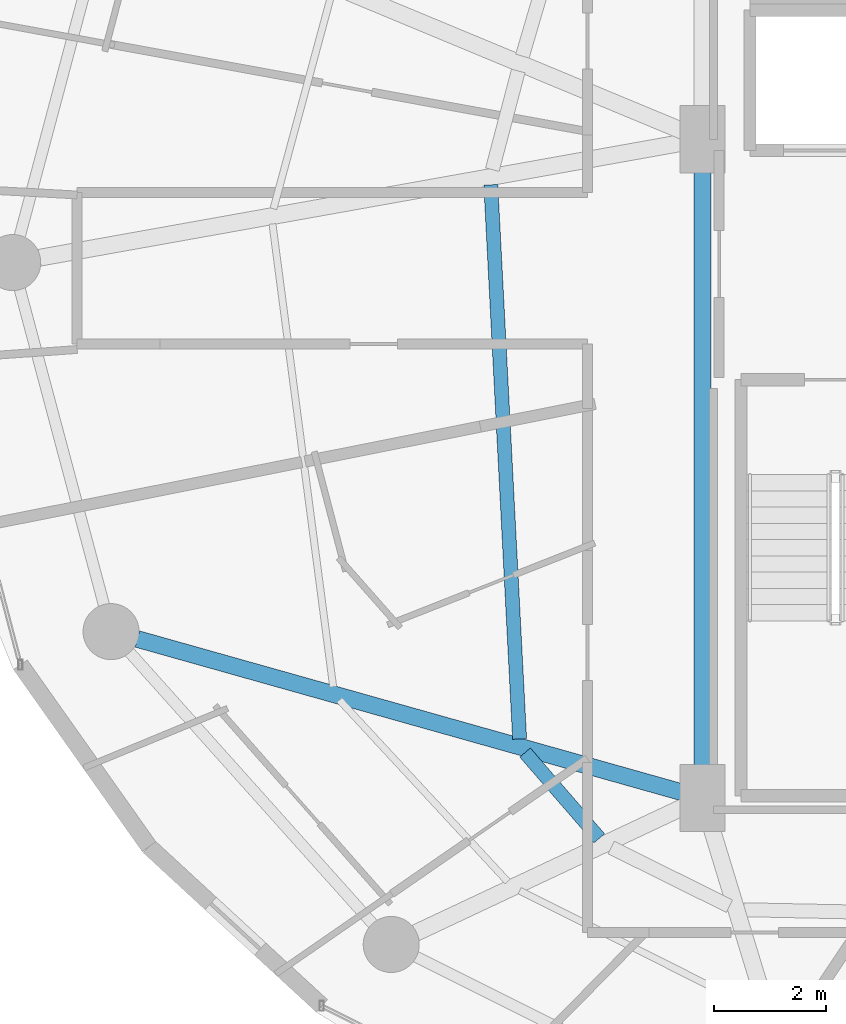
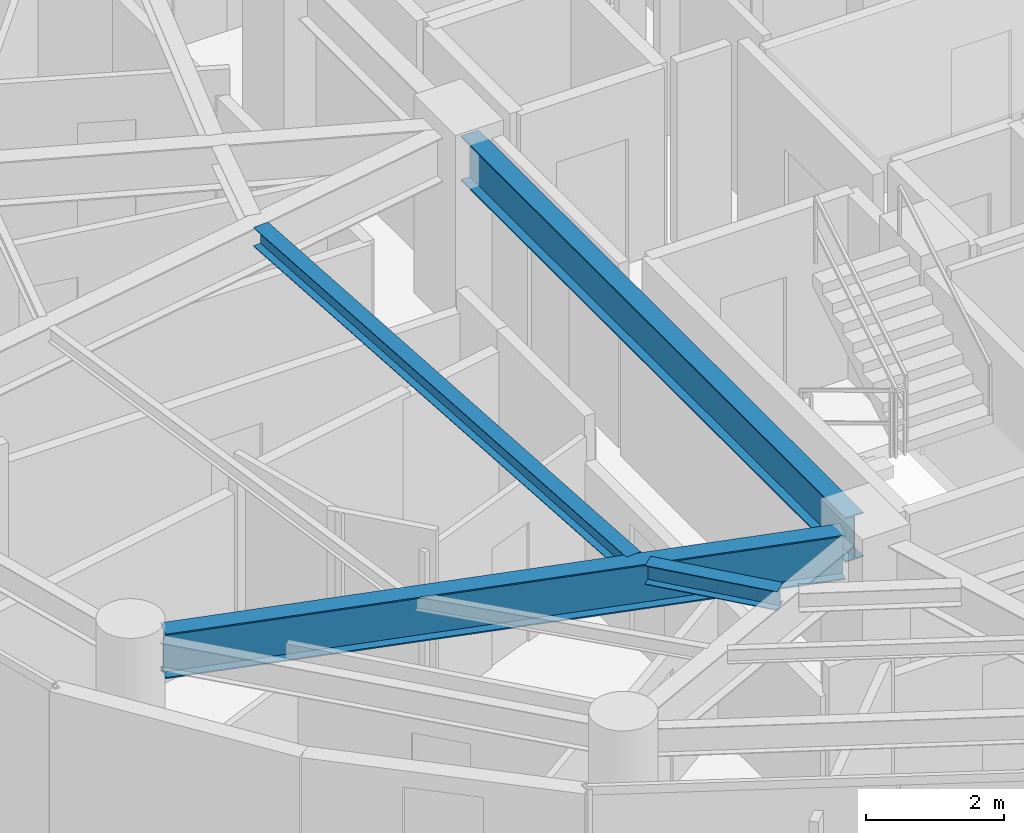
# One storey, part 4 of 29: 4 beams.
"""IFC4 building model written with IfcOpenShell, lengths in metres."""

from ifc_helpers import new_model, si_unit, direction, frame, origin, origin_2d, place, context, subcontext, project, spatial, i_section, extrude, material, material_profile, profile_set, type_object, element, save


model = new_model("IFC4")

# Units and contexts
model_context = context("Model", 3, precision=1e-05, world=origin(), true_north=direction((0.0, 1.0)))
body_context = subcontext(model_context, "Body", "Model", "MODEL_VIEW")
ifc_project = project(units=[si_unit("LENGTHUNIT", "METRE"), si_unit("AREAUNIT", "SQUARE_METRE"), si_unit("VOLUMEUNIT", "CUBIC_METRE"), si_unit("PLANEANGLEUNIT", "RADIAN"), si_unit("MASSUNIT", "GRAM", prefix="KILO")], contexts=[model_context])

# Site, building, storey
site_placement = place(None, origin())
site = spatial("IfcSite", under=ifc_project, at=site_placement, CompositionType="ELEMENT")
building_placement = place(site_placement, origin())
building = spatial("IfcBuilding", under=site, at=building_placement, Name="Vorneva Point Tower", CompositionType="ELEMENT")
storey_placement = place(building_placement, frame((0.0, 0.0, 150.10009765625)))
storey = spatial("IfcBuildingStorey", under=building, at=storey_placement, Name="L40", CompositionType="ELEMENT", Elevation=150.10009765625)

# Beams
ifc_material = material(Name="Steel S355", Category="steel")
ifc_material_profile_1 = material_profile(ifc_material, i_section(OverallWidth=0.300048828125, OverallDepth=0.7880859375, WebThickness=0.014404296875, FlangeThickness=0.02197265625, at=origin_2d()), Name="80Sh1")
ifc_profile_set_1 = profile_set([ifc_material_profile_1], Name="Steel S355")
beam_type_1 = type_object("IfcBeamType", Name="BM-GRD-80Sh1", PredefinedType="USERDEFINED", material=ifc_profile_set_1)
beam_1_placement = place(storey_placement, frame((17.17431640625, 19.28564453125, 2.845947265625), z_axis=(0.96260085362, -0.270923599213, 0.0), x_axis=(0.270923599213, 0.96260085362, 0.0)))
element("IfcBeam", 1, at=beam_1_placement, inside=storey, type_object=beam_type_1, Name="L40 Radial Primary Girder 10", ObjectType="GIRDER", PredefinedType="USERDEFINED", context=body_context, shape_type="SweptSolid", body=[
    extrude(i_section(OverallWidth=0.300048828125, OverallDepth=0.7880859375, WebThickness=0.014404296875, FlangeThickness=0.02197265625, at=origin_2d()), origin(), (0.0, 0.0, 1.0), 10.126953125),
])
beam_2_placement = place(storey_placement, frame((27.25, 16.77001953125, 2.845947265625), z_axis=(0.0, 1.0, 0.0), x_axis=(-1.0, 0.0, 0.0)))
element("IfcBeam", 2, at=beam_2_placement, inside=storey, type_object=beam_type_1, Name="L40 Core Tie Girder CT1", ObjectType="GIRDER", PredefinedType="USERDEFINED", context=body_context, shape_type="SweptSolid", body=[
    extrude(i_section(OverallWidth=0.300048828125, OverallDepth=0.7880859375, WebThickness=0.014404296875, FlangeThickness=0.02197265625, at=origin_2d()), origin(), (0.0, 0.0, 1.0), 11.10986328125),
])
ifc_material_profile_2 = material_profile(ifc_material, i_section(OverallWidth=0.2490234375, OverallDepth=0.333984375, WebThickness=0.008056640625, FlangeThickness=0.010986328125, at=origin_2d()), Name="35Sh1")
ifc_profile_set_2 = profile_set([ifc_material_profile_2], Name="Steel S355")
beam_type_2 = type_object("IfcBeamType", Name="BM-SEC-35Sh1", PredefinedType="BEAM", material=ifc_profile_set_2)
beam_3_placement = place(storey_placement, frame((23.47705078125, 27.385986328125, 3.072998046875), z_axis=(0.051929543019, -0.998650751045, 0.0), x_axis=(0.998650751045, 0.051929543019, 0.0)))
element("IfcBeam", 3, at=beam_3_placement, inside=storey, type_object=beam_type_2, Name="L40 Secondary Floor Beam 2.09", PredefinedType="BEAM", context=body_context, shape_type="SweptSolid", body=[
    extrude(i_section(OverallWidth=0.2490234375, OverallDepth=0.333984375, WebThickness=0.008056640625, FlangeThickness=0.010986328125, at=origin_2d()), origin(), (0.0, 0.0, 1.0), 9.896484375),
])
beam_4_placement = place(storey_placement, frame((24.08837890625, 17.2607421875, 3.072998046875), z_axis=(0.654521417916, -0.756043460053, 0.0), x_axis=(0.756043460053, 0.654521417916, 0.0)))
element("IfcBeam", 4, at=beam_4_placement, inside=storey, type_object=beam_type_2, Name="L40 Secondary Floor Beam 2.10", PredefinedType="BEAM", context=body_context, shape_type="SweptSolid", body=[
    extrude(i_section(OverallWidth=0.2490234375, OverallDepth=0.333984375, WebThickness=0.008056640625, FlangeThickness=0.010986328125, at=origin_2d()), origin(), (0.0, 0.0, 1.0), 2.0224609375),
])

save(model, "model.ifc")
